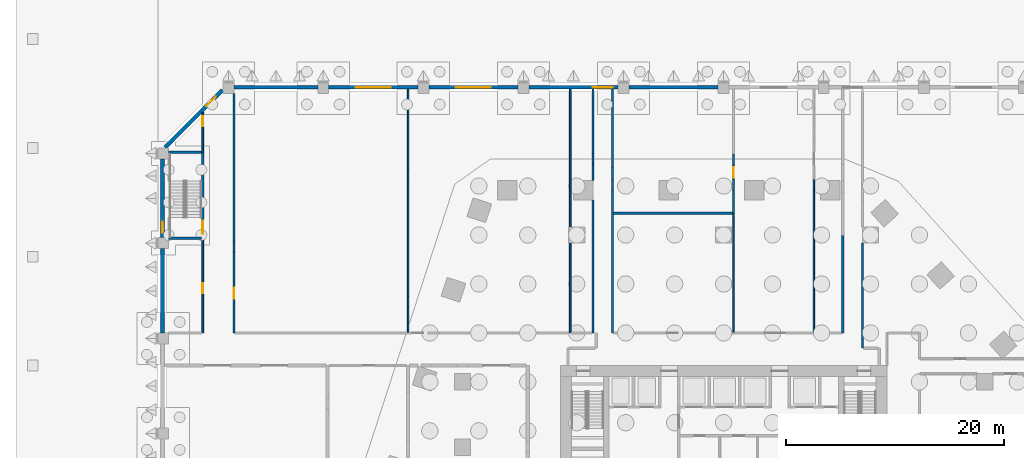
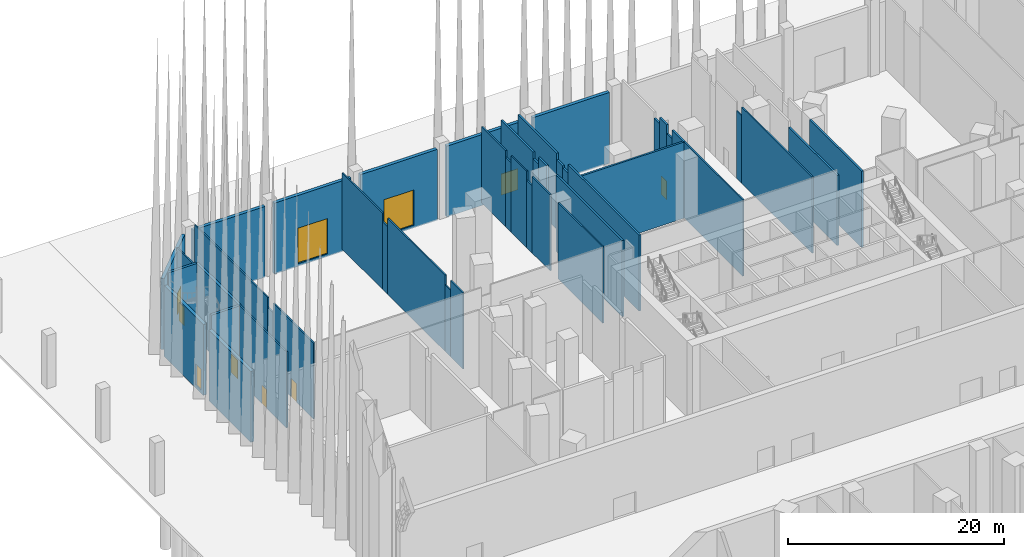
# One storey, part 14 of 32: 45 walls, 10 doors, 10 openings.
"""IFC4 building model written with IfcOpenShell, lengths in metres."""

from ifc_helpers import new_model, si_unit, direction, frame, frame_2d, origin, place, context, subcontext, project, spatial, rectangle, extrude, material, layer, layer_set, type_object, element, fill, save


model = new_model("IFC4")

# Units and contexts
model_context = context("Model", 3, precision=1e-05, world=origin(), true_north=direction((0.0, 1.0)))
body_context = subcontext(model_context, "Body", "Model", "MODEL_VIEW")
ifc_project = project(units=[si_unit("LENGTHUNIT", "METRE"), si_unit("AREAUNIT", "SQUARE_METRE"), si_unit("VOLUMEUNIT", "CUBIC_METRE"), si_unit("PLANEANGLEUNIT", "RADIAN"), si_unit("MASSUNIT", "GRAM", prefix="KILO")], contexts=[model_context])

# Site, building, storey
site_placement = place(None, origin())
site = spatial("IfcSite", under=ifc_project, at=site_placement, CompositionType="ELEMENT")
building_placement = place(site_placement, origin())
building = spatial("IfcBuilding", under=site, at=building_placement, Name="Isthmus Gate Tower", CompositionType="ELEMENT")
storey_placement = place(building_placement, origin())
storey = spatial("IfcBuildingStorey", under=building, at=storey_placement, Name="L00", CompositionType="ELEMENT", Elevation=0.0)

# Walls
ifc_material_1 = material(Name="Concrete f'c 30 MPa", Category="concrete")
ifc_layer_1 = layer(ifc_material_1, 0.199951171875)
ifc_layer_set_1 = layer_set([ifc_layer_1], Name="Fire-rated block wall 200")
wall_type_1 = type_object("IfcWallType", Name="Fire-rated block wall 200", PredefinedType="PARTITIONING", material=ifc_layer_set_1)
wall_1_placement = place(storey_placement, frame((-10.10693359375, 29.0, 0.0), z_axis=(0.0, 0.0, 1.0), x_axis=(1.0, 0.0, 0.0)))
element("IfcWall", 1, at=wall_1_placement, inside=storey, type_object=wall_type_1, Name="Fire-rated wall", PredefinedType="PARTITIONING", context=body_context, shape_type="SweptSolid", body=[
    extrude(rectangle(XDim=10.906982421875, YDim=0.199951171875, at=frame_2d((5.45361328125, 0.0))), origin(), (0.0, 0.0, 1.0), 8.60009765625),
])
wall_2_placement = place(storey_placement, frame((-12.007080078125, 18.0009765625, 0.0), z_axis=(0.0, 0.0, 1.0), x_axis=(0.0, 1.0, 0.0)))
element("IfcWall", 2, at=wall_2_placement, inside=storey, type_object=wall_type_1, Name="Fire-rated wall", PredefinedType="PARTITIONING", context=body_context, shape_type="SweptSolid", body=[
    extrude(rectangle(XDim=12.198974609375, YDim=0.199951171875, at=frame_2d((6.099609375, 0.0))), origin(), (0.0, 0.0, 1.0), 8.60009765625),
])
wall_3_placement = place(storey_placement, frame((-12.007080078125, 32.0, 0.0), z_axis=(0.0, 0.0, 1.0), x_axis=(0.0, 1.0, 0.0)))
element("IfcWall", 3, at=wall_3_placement, inside=storey, type_object=wall_type_1, Name="Fire-rated wall", PredefinedType="PARTITIONING", context=body_context, shape_type="SweptSolid", body=[
    extrude(rectangle(XDim=1.489990234375, YDim=0.199951171875, at=frame_2d((0.7451171875, 0.0))), origin(), (0.0, 0.0, 1.0), 8.60009765625),
])
wall_4_placement = place(storey_placement, frame((-12.007080078125, 33.489990234375, 0.0), z_axis=(0.0, 0.0, 1.0), x_axis=(0.0, 1.0, 0.0)))
element("IfcWall", 4, at=wall_4_placement, inside=storey, type_object=wall_type_1, Name="Fire-rated wall", PredefinedType="PARTITIONING", context=body_context, shape_type="SweptSolid", body=[
    extrude(rectangle(XDim=1.0, YDim=0.199951171875, at=frame_2d((0.5, 0.0))), origin(), (0.0, 0.0, 1.0), 7.84130859375),
])
wall_5_placement = place(storey_placement, frame((-12.007080078125, 34.489990234375, 0.0), z_axis=(0.0, 0.0, 1.0), x_axis=(0.0, 1.0, 0.0)))
element("IfcWall", 5, at=wall_5_placement, inside=storey, type_object=wall_type_1, Name="Fire-rated wall", PredefinedType="PARTITIONING", context=body_context, shape_type="SweptSolid", body=[
    extrude(rectangle(XDim=5.909912109375, YDim=0.199951171875, at=frame_2d((2.955078125, 0.0))), origin(), (0.0, 0.0, 1.0), 8.60009765625),
])
wall_6_placement = place(storey_placement, frame((-10.20703125, 18.0, 0.0), z_axis=(0.0, 0.0, 1.0), x_axis=(0.0, 1.0, 0.0)))
element("IfcWall", 6, at=wall_6_placement, inside=storey, type_object=wall_type_1, Name="Fire-rated wall", PredefinedType="PARTITIONING", context=body_context, shape_type="SweptSolid", body=[
    extrude(rectangle(XDim=13.10009765625, YDim=0.199951171875, at=frame_2d((6.550048828125, 0.0))), origin(), (0.0, 0.0, 1.0), 8.60009765625),
])
wall_7_placement = place(storey_placement, frame((-10.20703125, 31.10009765625, 0.0), z_axis=(0.0, 0.0, 1.0), x_axis=(0.0, 1.0, 0.0)))
element("IfcWall", 7, at=wall_7_placement, inside=storey, type_object=wall_type_1, Name="Fire-rated wall", PredefinedType="PARTITIONING", context=body_context, shape_type="SweptSolid", body=[
    extrude(rectangle(XDim=1.0, YDim=0.199951171875, at=frame_2d((0.5, 0.0))), origin(), (0.0, 0.0, 1.0), 7.60009765625),
])
wall_8_placement = place(storey_placement, frame((-10.20703125, 32.10009765625, 0.0), z_axis=(0.0, 0.0, 1.0), x_axis=(0.0, 1.0, 0.0)))
element("IfcWall", 8, at=wall_8_placement, inside=storey, type_object=wall_type_1, Name="Fire-rated wall", PredefinedType="PARTITIONING", context=body_context, shape_type="SweptSolid", body=[
    extrude(rectangle(XDim=1.123779296875, YDim=0.199951171875, at=frame_2d((0.56201171875, 0.0))), origin(), (0.0, 0.0, 1.0), 7.84130859375),
])
wall_9_placement = place(storey_placement, frame((-10.20703125, 33.223876953125, 0.0), z_axis=(0.0, 0.0, 1.0), x_axis=(0.0, 1.0, 0.0)))
element("IfcWall", 9, at=wall_9_placement, inside=storey, type_object=wall_type_1, Name="Fire-rated wall", PredefinedType="PARTITIONING", context=body_context, shape_type="SweptSolid", body=[
    extrude(rectangle(XDim=7.176025390625, YDim=0.199951171875, at=frame_2d((3.587890625, 0.0))), origin(), (0.0, 0.0, 1.0), 8.60009765625),
])
wall_10_placement = place(storey_placement, frame((0.89990234375, 29.0, 0.0), z_axis=(0.0, 0.0, 1.0), x_axis=(0.0, 1.0, 0.0)))
element("IfcWall", 10, at=wall_10_placement, inside=storey, type_object=wall_type_1, Name="Fire-rated wall", PredefinedType="PARTITIONING", context=body_context, shape_type="SweptSolid", body=[
    extrude(rectangle(XDim=2.10009765625, YDim=0.199951171875, at=frame_2d((1.050048828125, 0.0))), origin(), (0.0, 0.0, 1.0), 8.60009765625),
])
wall_11_placement = place(storey_placement, frame((0.89990234375, 31.10009765625, 0.0), z_axis=(0.0, 0.0, 1.0), x_axis=(0.0, 1.0, 0.0)))
element("IfcWall", 11, at=wall_11_placement, inside=storey, type_object=wall_type_1, Name="Fire-rated wall", PredefinedType="PARTITIONING", context=body_context, shape_type="SweptSolid", body=[
    extrude(rectangle(XDim=1.0, YDim=0.199951171875, at=frame_2d((0.5, 0.0))), origin(), (0.0, 0.0, 1.0), 7.60009765625),
])

# Wall, opening, door
wall_12_placement = place(storey_placement, frame((0.89990234375, 32.10009765625, 0.0), z_axis=(0.0, 0.0, 1.0), x_axis=(0.0, 1.0, 0.0)))
wall_12 = element("IfcWall", 12, at=wall_12_placement, inside=storey, type_object=wall_type_1, Name="Fire-rated wall", PredefinedType="PARTITIONING", context=body_context, shape_type="SweptSolid", body=[
    extrude(rectangle(XDim=1.35302734375, YDim=0.199951171875, at=frame_2d((0.676513671875, 0.0))), origin(), (0.0, 0.0, 1.0), 8.60009765625),
])
opening_1_placement = place(wall_12_placement, frame((0.14990234375, 0.0, 0.0)))
opening_1 = element("IfcOpeningElement", 13, at=opening_1_placement, cuts=wall_12, Name="Opening DP00-32", PredefinedType="OPENING", context=body_context, shape_type="SweptSolid", body=[
    extrude(rectangle(XDim=1.0, YDim=2.10009765625, at=frame_2d((0.5, 1.050048828125))), frame((0.0, 0.10986328125, 0.0), z_axis=(0.0, -1.0, 0.0), x_axis=(1.0, 0.0, 0.0)), (0.0, 0.0, 1.0), 0.219970703125),
])
ifc_material_2 = material(Name="Steel fire door with intumescent seals", Category="steel")
door_type_1 = type_object("IfcDoorType", Name="Fire door 1000 x 2100", OperationType="SINGLE_SWING_LEFT", PredefinedType="DOOR", material=ifc_material_2)
door_1_placement = place(opening_1_placement, origin())
door_1 = element("IfcDoor", 14, at=door_1_placement, inside=storey, type_object=door_type_1, Name="Door DP00-32", OperationType="SINGLE_SWING_LEFT", OverallHeight=2.10009765625, OverallWidth=1.0, PredefinedType="DOOR", context=body_context, shape_type="SweptSolid", body=[
    extrude(rectangle(XDim=1.0, YDim=2.10009765625, at=frame_2d((0.5, 1.050048828125))), frame((0.0, 0.02490234375, 0.0), z_axis=(0.0, -1.0, 0.0), x_axis=(1.0, 0.0, 0.0)), (0.0, 0.0, 1.0), 0.050048828125),
])
fill(opening_1, door_1)

# Walls
wall_13_placement = place(storey_placement, frame((0.89990234375, 33.453125, 0.0), z_axis=(0.0, 0.0, 1.0), x_axis=(0.0, 1.0, 0.0)))
element("IfcWall", 15, at=wall_13_placement, inside=storey, type_object=wall_type_1, Name="Fire-rated wall", PredefinedType="PARTITIONING", context=body_context, shape_type="SweptSolid", body=[
    extrude(rectangle(XDim=1.0, YDim=0.199951171875, at=frame_2d((0.5, 0.0))), origin(), (0.0, 0.0, 1.0), 7.920654296875),
])
wall_14_placement = place(storey_placement, frame((10.949951171875, 18.0, 0.0), z_axis=(0.0, 0.0, 1.0), x_axis=(0.0, 1.0, 0.0)))
element("IfcWall", 16, at=wall_14_placement, inside=storey, type_object=wall_type_1, Name="Fire-rated wall", PredefinedType="PARTITIONING", context=body_context, shape_type="SweptSolid", body=[
    extrude(rectangle(XDim=8.972900390625, YDim=0.199951171875, at=frame_2d((4.486328125, 0.0))), origin(), (0.0, 0.0, 1.0), 7.920654296875),
])
wall_15_placement = place(storey_placement, frame((12.75, 16.60009765625, 0.0), z_axis=(0.0, 0.0, 1.0), x_axis=(0.0, 1.0, 0.0)))
element("IfcWall", 17, at=wall_15_placement, inside=storey, type_object=wall_type_1, Name="Fire-rated wall", PredefinedType="PARTITIONING", context=body_context, shape_type="SweptSolid", body=[
    extrude(rectangle(XDim=9.64990234375, YDim=0.199951171875, at=frame_2d((4.824951171875, 0.0))), origin(), (0.0, 0.0, 1.0), 8.60009765625),
])

# Wall, opening, door
ifc_material_3 = material(Name="Fire-rated gypsum board on steel studs", Category="steel")
ifc_layer_2 = layer(ifc_material_3, 0.14990234375)
ifc_layer_set_2 = layer_set([ifc_layer_2], Name="Fire-rated partition 150 EI 60")
wall_type_2 = type_object("IfcWallType", Name="Fire-rated partition 150 EI 60", PredefinedType="PARTITIONING", material=ifc_layer_set_2)
wall_16_placement = place(storey_placement, frame((-47.875, 18.0, 0.0), z_axis=(0.0, 0.0, 1.0), x_axis=(0.0, 1.0, 0.0)))
wall_16 = element("IfcWall", 18, at=wall_16_placement, inside=storey, type_object=wall_type_2, Name="Fire-rated partition", PredefinedType="PARTITIONING", context=body_context, shape_type="SweptSolid", body=[
    extrude(rectangle(XDim=8.699951171875, YDim=0.14990234375, at=frame_2d((4.35009765625, 0.0))), origin(), (0.0, 0.0, 1.0), 8.60009765625),
])
opening_2_placement = place(wall_16_placement, frame((3.64990234375, 0.0, 0.0)))
opening_2 = element("IfcOpeningElement", 19, at=opening_2_placement, cuts=wall_16, Name="Opening DP00-02", PredefinedType="OPENING", context=body_context, shape_type="SweptSolid", body=[
    extrude(rectangle(XDim=0.89990234375, YDim=2.10009765625, at=frame_2d((0.449951171875, 1.050048828125))), frame((0.0, 0.0849609375, 0.0), z_axis=(0.0, -1.0, 0.0), x_axis=(1.0, 0.0, 0.0)), (0.0, 0.0, 1.0), 0.169921875),
])
ifc_material_4 = material(Name="Steel fire door with intumescent seals", Category="steel")
door_type_2 = type_object("IfcDoorType", Name="Fire door 900 x 2100", OperationType="SINGLE_SWING_LEFT", PredefinedType="DOOR", material=ifc_material_4)
door_2_placement = place(opening_2_placement, origin())
door_2 = element("IfcDoor", 20, at=door_2_placement, inside=storey, type_object=door_type_2, Name="Door DP00-02", OperationType="SINGLE_SWING_LEFT", OverallHeight=2.10009765625, OverallWidth=0.89990234375, PredefinedType="DOOR", context=body_context, shape_type="SweptSolid", body=[
    extrude(rectangle(XDim=0.89990234375, YDim=2.10009765625, at=frame_2d((0.449951171875, 1.050048828125))), frame((0.0, 0.02490234375, 0.0), z_axis=(0.0, -1.0, 0.0), x_axis=(1.0, 0.0, 0.0)), (0.0, 0.0, 1.0), 0.050048828125),
])
fill(opening_2, door_2)

wall_17_placement = place(storey_placement, frame((-47.875, 34.60009765625, 0.0), z_axis=(0.0, 0.0, 1.0), x_axis=(0.0, 1.0, 0.0)))
wall_17 = element("IfcWall", 21, at=wall_17_placement, inside=storey, type_object=wall_type_2, Name="Fire-rated partition", PredefinedType="PARTITIONING", context=body_context, shape_type="SweptSolid", body=[
    extrude(rectangle(XDim=3.676513671875, YDim=0.14990234375, at=frame_2d((1.83837890625, 0.0))), origin(), (0.0, 0.0, 1.0), 8.066650390625),
])
opening_3_placement = place(wall_17_placement, frame((2.39990234375, 0.0, 0.0)))
opening_3 = element("IfcOpeningElement", 22, at=opening_3_placement, cuts=wall_17, Name="Opening DP00-03", PredefinedType="OPENING", context=body_context, shape_type="SweptSolid", body=[
    extrude(rectangle(XDim=0.89990234375, YDim=2.10009765625, at=frame_2d((0.449951171875, 1.050048828125))), frame((0.0, 0.0849609375, 0.0), z_axis=(0.0, -1.0, 0.0), x_axis=(1.0, 0.0, 0.0)), (0.0, 0.0, 1.0), 0.169921875),
])
door_3_placement = place(opening_3_placement, origin())
door_3 = element("IfcDoor", 23, at=door_3_placement, inside=storey, type_object=door_type_2, Name="Door DP00-03", OperationType="SINGLE_SWING_LEFT", OverallHeight=2.10009765625, OverallWidth=0.89990234375, PredefinedType="DOOR", context=body_context, shape_type="SweptSolid", body=[
    extrude(rectangle(XDim=0.89990234375, YDim=2.10009765625, at=frame_2d((0.449951171875, 1.050048828125))), frame((0.0, 0.02490234375, 0.0), z_axis=(0.0, -1.0, 0.0), x_axis=(1.0, 0.0, 0.0)), (0.0, 0.0, 1.0), 0.050048828125),
])
fill(opening_3, door_3)

wall_18_placement = place(storey_placement, frame((-45.0, 18.0, 0.0), z_axis=(0.0, 0.0, 1.0), x_axis=(0.0, 1.0, 0.0)))
wall_18 = element("IfcWall", 24, at=wall_18_placement, inside=storey, type_object=wall_type_2, Name="Fire-rated partition", PredefinedType="PARTITIONING", context=body_context, shape_type="SweptSolid", body=[
    extrude(rectangle(XDim=7.430908203125, YDim=0.14990234375, at=frame_2d((3.71533203125, 0.0))), origin(), (0.0, 0.0, 1.0), 8.60009765625),
])
opening_4_placement = place(wall_18_placement, frame((3.14990234375, 0.0, 0.0)))
opening_4 = element("IfcOpeningElement", 25, at=opening_4_placement, cuts=wall_18, Name="Opening DP00-29", PredefinedType="OPENING", context=body_context, shape_type="SweptSolid", body=[
    extrude(rectangle(XDim=1.0, YDim=2.10009765625, at=frame_2d((0.5, 1.050048828125))), frame((0.0, 0.0849609375, 0.0), z_axis=(0.0, -1.0, 0.0), x_axis=(1.0, 0.0, 0.0)), (0.0, 0.0, 1.0), 0.169921875),
])
door_4_placement = place(opening_4_placement, origin())
door_4 = element("IfcDoor", 26, at=door_4_placement, inside=storey, type_object=door_type_1, Name="Door DP00-29", OperationType="SINGLE_SWING_LEFT", OverallHeight=2.10009765625, OverallWidth=1.0, PredefinedType="DOOR", context=body_context, shape_type="SweptSolid", body=[
    extrude(rectangle(XDim=1.0, YDim=2.10009765625, at=frame_2d((0.5, 1.050048828125))), frame((0.0, 0.02490234375, 0.0), z_axis=(0.0, -1.0, 0.0), x_axis=(1.0, 0.0, 0.0)), (0.0, 0.0, 1.0), 0.050048828125),
])
fill(opening_4, door_4)

# Walls
wall_19_placement = place(storey_placement, frame((-45.0, 25.430908203125, 0.0), z_axis=(0.0, 0.0, 1.0), x_axis=(0.0, 1.0, 0.0)))
element("IfcWall", 27, at=wall_19_placement, inside=storey, type_object=wall_type_2, Name="Fire-rated partition", PredefinedType="PARTITIONING", context=body_context, shape_type="SweptSolid", body=[
    extrude(rectangle(XDim=1.0, YDim=0.14990234375, at=frame_2d((0.5, 0.0))), origin(), (0.0, 0.0, 1.0), 7.510986328125),
])
wall_20_placement = place(storey_placement, frame((-45.0, 26.430908203125, 0.0), z_axis=(0.0, 0.0, 1.0), x_axis=(0.0, 1.0, 0.0)))
element("IfcWall", 28, at=wall_20_placement, inside=storey, type_object=wall_type_2, Name="Fire-rated partition", PredefinedType="PARTITIONING", context=body_context, shape_type="SweptSolid", body=[
    extrude(rectangle(XDim=13.569091796875, YDim=0.14990234375, at=frame_2d((6.78466796875, 0.0))), origin(), (0.0, 0.0, 1.0), 8.60009765625),
])
ifc_material_5 = material(Name="Precast concrete C40/50, limestone-faced", Category="masonry")
ifc_layer_3 = layer(ifc_material_5, 0.35009765625)
ifc_layer_set_3 = layer_set([ifc_layer_3], Name="PODIUM CLADDING WALL 350")
wall_type_3 = type_object("IfcWallType", Name="PODIUM CLADDING WALL 350", PredefinedType="SOLIDWALL", material=ifc_layer_set_3)
wall_21_placement = place(storey_placement, frame((-0.5, 40.574951171875, -0.300048828125), z_axis=(0.0, 0.0, 1.0), x_axis=(-1.0, 0.0, 0.0)))
element("IfcWall", 29, at=wall_21_placement, inside=storey, type_object=wall_type_3, Name="PODIUM WALL", PredefinedType="SOLIDWALL", context=body_context, shape_type="SweptSolid", body=[
    extrude(rectangle(XDim=8.199951171875, YDim=0.35009765625, at=frame_2d((4.10009765625, 0.0))), origin(), (0.0, 0.0, 1.0), 8.0),
])

# Wall, opening, door
wall_22_placement = place(storey_placement, frame((-9.699951171875, 40.574951171875, -0.300048828125), z_axis=(0.0, 0.0, 1.0), x_axis=(-1.0, 0.0, 0.0)))
wall_22 = element("IfcWall", 30, at=wall_22_placement, inside=storey, type_object=wall_type_3, Name="PODIUM WALL", PredefinedType="SOLIDWALL", context=body_context, shape_type="SweptSolid", body=[
    extrude(rectangle(XDim=8.199951171875, YDim=0.35009765625, at=frame_2d((4.10009765625, 0.0))), origin(), (0.0, 0.0, 1.0), 8.0),
])
opening_5_placement = place(wall_22_placement, frame((0.507080078125, 0.0, 0.300048828125)))
opening_5 = element("IfcOpeningElement", 31, at=opening_5_placement, cuts=wall_22, Name="Opening DE00-08", PredefinedType="OPENING", context=body_context, shape_type="SweptSolid", body=[
    extrude(rectangle(XDim=1.800048828125, YDim=2.39990234375, at=frame_2d((0.89990234375, 1.199951171875))), frame((0.0, 0.18505859375, 0.0), z_axis=(0.0, -1.0, 0.0), x_axis=(1.0, 0.0, 0.0)), (0.0, 0.0, 1.0), 0.3701171875),
])
ifc_material_6 = material(Name="Galvanised steel, powder-coated", Category="steel")
door_type_3 = type_object("IfcDoorType", Name="STAIR EXIT FIRE DOOR 1800 X 2400", OperationType="SINGLE_SWING_LEFT", PredefinedType="DOOR", material=ifc_material_6)
door_5_placement = place(opening_5_placement, frame((1.800048828125, 0.0, 0.0), z_axis=(0.0, 0.0, 1.0), x_axis=(-1.0, 0.0, 0.0)))
door_5 = element("IfcDoor", 32, at=door_5_placement, inside=storey, type_object=door_type_3, Name="DOOR DE00-08", OperationType="SINGLE_SWING_LEFT", OverallHeight=2.39990234375, OverallWidth=1.800048828125, PredefinedType="DOOR", context=body_context, shape_type="SweptSolid", body=[
    extrude(rectangle(XDim=1.800048828125, YDim=2.39990234375, at=frame_2d((0.89990234375, 1.199951171875))), frame((0.0, 0.02490234375, 0.0), z_axis=(0.0, -1.0, 0.0), x_axis=(1.0, 0.0, 0.0)), (0.0, 0.0, 1.0), 0.050048828125),
])
fill(opening_5, door_5)

wall_23_placement = place(storey_placement, frame((-18.89990234375, 40.574951171875, -0.300048828125), z_axis=(0.0, 0.0, 1.0), x_axis=(-1.0, 0.0, 0.0)))
wall_23 = element("IfcWall", 33, at=wall_23_placement, inside=storey, type_object=wall_type_3, Name="PODIUM WALL", PredefinedType="SOLIDWALL", context=body_context, shape_type="SweptSolid", body=[
    extrude(rectangle(XDim=8.2001953125, YDim=0.35009765625, at=frame_2d((4.10009765625, 0.0))), origin(), (0.0, 0.0, 1.0), 8.0),
])
opening_6_placement = place(wall_23_placement, frame((2.5, 0.0, 0.300048828125)))
opening_6 = element("IfcOpeningElement", 34, at=opening_6_placement, cuts=wall_23, Name="Opening DE00-05", PredefinedType="OPENING", context=body_context, shape_type="SweptSolid", body=[
    extrude(rectangle(XDim=3.199951171875, YDim=4.0, at=frame_2d((1.60009765625, 2.0))), frame((0.0, 0.18505859375, 0.0), z_axis=(0.0, -1.0, 0.0), x_axis=(1.0, 0.0, 0.0)), (0.0, 0.0, 1.0), 0.3701171875),
])
ifc_material_7 = material(Name="Galvanised steel, powder-coated", Category="steel")
door_type_4 = type_object("IfcDoorType", Name="ROLLER SHUTTER DOOR 3200 X 4000", OperationType="ROLLINGUP", PredefinedType="GATE", material=ifc_material_7)
door_6_placement = place(opening_6_placement, origin())
door_6 = element("IfcDoor", 35, at=door_6_placement, inside=storey, type_object=door_type_4, Name="DOOR DE00-05", OperationType="ROLLINGUP", OverallHeight=4.0, OverallWidth=3.199951171875, PredefinedType="GATE", context=body_context, shape_type="SweptSolid", body=[
    extrude(rectangle(XDim=3.199951171875, YDim=4.0, at=frame_2d((1.60009765625, 2.0))), frame((0.0, 0.02490234375, 0.0), z_axis=(0.0, -1.0, 0.0), x_axis=(1.0, 0.0, 0.0)), (0.0, 0.0, 1.0), 0.050048828125),
])
fill(opening_6, door_6)

wall_24_placement = place(storey_placement, frame((-28.10009765625, 40.574951171875, -0.300048828125), z_axis=(0.0, 0.0, 1.0), x_axis=(-1.0, 0.0, 0.0)))
wall_24 = element("IfcWall", 36, at=wall_24_placement, inside=storey, type_object=wall_type_3, Name="PODIUM WALL", PredefinedType="SOLIDWALL", context=body_context, shape_type="SweptSolid", body=[
    extrude(rectangle(XDim=8.199951171875, YDim=0.35009765625, at=frame_2d((4.10009765625, 0.0))), origin(), (0.0, 0.0, 1.0), 8.0),
])
opening_7_placement = place(wall_24_placement, frame((2.5, 0.0, 0.300048828125)))
opening_7 = element("IfcOpeningElement", 37, at=opening_7_placement, cuts=wall_24, Name="Opening DE00-07", PredefinedType="OPENING", context=body_context, shape_type="SweptSolid", body=[
    extrude(rectangle(XDim=3.199951171875, YDim=4.0, at=frame_2d((1.60009765625, 2.0))), frame((0.0, 0.18505859375, 0.0), z_axis=(0.0, -1.0, 0.0), x_axis=(1.0, 0.0, 0.0)), (0.0, 0.0, 1.0), 0.3701171875),
])
door_7_placement = place(opening_7_placement, origin())
door_7 = element("IfcDoor", 38, at=door_7_placement, inside=storey, type_object=door_type_4, Name="DOOR DE00-07", OperationType="ROLLINGUP", OverallHeight=4.0, OverallWidth=3.199951171875, PredefinedType="GATE", context=body_context, shape_type="SweptSolid", body=[
    extrude(rectangle(XDim=3.199951171875, YDim=4.0, at=frame_2d((1.60009765625, 2.0))), frame((0.0, 0.02490234375, 0.0), z_axis=(0.0, -1.0, 0.0), x_axis=(1.0, 0.0, 0.0)), (0.0, 0.0, 1.0), 0.050048828125),
])
fill(opening_7, door_7)

# Wall
wall_25_placement = place(storey_placement, frame((-37.300048828125, 40.574951171875, -0.300048828125), z_axis=(0.0, 0.0, 1.0), x_axis=(-1.0, 0.0, 0.0)))
element("IfcWall", 39, at=wall_25_placement, inside=storey, type_object=wall_type_3, Name="PODIUM WALL", PredefinedType="SOLIDWALL", context=body_context, shape_type="SweptSolid", body=[
    extrude(rectangle(XDim=7.699951171875, YDim=0.35009765625, at=frame_2d((3.85009765625, 0.0))), origin(), (0.0, 0.0, 1.0), 8.0),
])

# Wall, opening, door
wall_26_placement = place(storey_placement, frame((-46.071533203125, 40.327392578125, -0.300048828125), z_axis=(0.0, 0.0, 1.0), x_axis=(-0.707106781187, -0.707106781187, 0.0)))
wall_26 = element("IfcWall", 40, at=wall_26_placement, inside=storey, type_object=wall_type_3, Name="PODIUM WALL", PredefinedType="SOLIDWALL", context=body_context, shape_type="SweptSolid", body=[
    extrude(rectangle(XDim=7.432861328125, YDim=0.35009765625, at=frame_2d((3.71630859375, 0.0))), origin(), (0.0, 0.0, 1.0), 8.0),
])
opening_8_placement = place(wall_26_placement, frame((0.853759765625, 0.0, 0.300048828125)))
opening_8 = element("IfcOpeningElement", 41, at=opening_8_placement, cuts=wall_26, Name="Opening DE00-15", PredefinedType="OPENING", context=body_context, shape_type="SweptSolid", body=[
    extrude(rectangle(XDim=1.199951171875, YDim=2.39990234375, at=frame_2d((0.60009765625, 1.199951171875))), frame((0.0, 0.18505859375, 0.0), z_axis=(0.0, -1.0, 0.0), x_axis=(1.0, 0.0, 0.0)), (0.0, 0.0, 1.0), 0.3701171875),
])
ifc_material_8 = material(Name="Galvanised steel, powder-coated", Category="steel")
door_type_5 = type_object("IfcDoorType", Name="STAIR EXIT FIRE DOOR 1200 X 2400", OperationType="SINGLE_SWING_LEFT", PredefinedType="DOOR", material=ifc_material_8)
door_8_placement = place(opening_8_placement, frame((1.199951171875, 0.0, 0.0), z_axis=(0.0, 0.0, 1.0), x_axis=(-1.0, 0.0, 0.0)))
door_8 = element("IfcDoor", 42, at=door_8_placement, inside=storey, type_object=door_type_5, Name="DOOR DE00-15", OperationType="SINGLE_SWING_LEFT", OverallHeight=2.39990234375, OverallWidth=1.199951171875, PredefinedType="DOOR", context=body_context, shape_type="SweptSolid", body=[
    extrude(rectangle(XDim=1.199951171875, YDim=2.39990234375, at=frame_2d((0.60009765625, 1.199951171875))), frame((0.0, 0.02490234375, 0.0), z_axis=(0.0, -1.0, 0.0), x_axis=(1.0, 0.0, 0.0)), (0.0, 0.0, 1.0), 0.050048828125),
])
fill(opening_8, door_8)

wall_27_placement = place(storey_placement, frame((-51.574951171875, 34.0, -0.300048828125), z_axis=(0.0, 0.0, 1.0), x_axis=(0.0, -1.0, 0.0)))
wall_27 = element("IfcWall", 43, at=wall_27_placement, inside=storey, type_object=wall_type_3, Name="PODIUM WALL", PredefinedType="SOLIDWALL", context=body_context, shape_type="SweptSolid", body=[
    extrude(rectangle(XDim=7.25, YDim=0.35009765625, at=frame_2d((3.625, 0.0))), origin(), (0.0, 0.0, 1.0), 8.0),
])
opening_9_placement = place(wall_27_placement, frame((5.800048828125, 0.0, 0.300048828125)))
opening_9 = element("IfcOpeningElement", 44, at=opening_9_placement, cuts=wall_27, Name="Opening DE00-14", PredefinedType="OPENING", context=body_context, shape_type="SweptSolid", body=[
    extrude(rectangle(XDim=1.0, YDim=2.39990234375, at=frame_2d((0.5, 1.199951171875))), frame((0.0, 0.18505859375, 0.0), z_axis=(0.0, -1.0, 0.0), x_axis=(1.0, 0.0, 0.0)), (0.0, 0.0, 1.0), 0.3701171875),
])
ifc_material_9 = material(Name="Galvanised steel, powder-coated", Category="steel")
door_type_6 = type_object("IfcDoorType", Name="STAIR EXIT FIRE DOOR 1000 X 2400", OperationType="SINGLE_SWING_LEFT", PredefinedType="DOOR", material=ifc_material_9)
door_9_placement = place(opening_9_placement, frame((1.0, 0.0, 0.0), z_axis=(0.0, 0.0, 1.0), x_axis=(-1.0, 0.0, 0.0)))
door_9 = element("IfcDoor", 45, at=door_9_placement, inside=storey, type_object=door_type_6, Name="DOOR DE00-14", OperationType="SINGLE_SWING_LEFT", OverallHeight=2.39990234375, OverallWidth=1.0, PredefinedType="DOOR", context=body_context, shape_type="SweptSolid", body=[
    extrude(rectangle(XDim=1.0, YDim=2.39990234375, at=frame_2d((0.5, 1.199951171875))), frame((0.0, 0.02490234375, 0.0), z_axis=(0.0, -1.0, 0.0), x_axis=(1.0, 0.0, 0.0)), (0.0, 0.0, 1.0), 0.050048828125),
])
fill(opening_9, door_9)

# Walls
wall_28_placement = place(storey_placement, frame((-51.574951171875, 25.75, -0.300048828125), z_axis=(0.0, 0.0, 1.0), x_axis=(0.0, -1.0, 0.0)))
element("IfcWall", 46, at=wall_28_placement, inside=storey, type_object=wall_type_3, Name="PODIUM WALL", PredefinedType="SOLIDWALL", context=body_context, shape_type="SweptSolid", body=[
    extrude(rectangle(XDim=7.75, YDim=0.35009765625, at=frame_2d((3.875, 0.0))), origin(), (0.0, 0.0, 1.0), 8.0),
])
ifc_material_10 = material(Name="Gypsum board on cold-formed steel studs", Category="steel")
ifc_layer_4 = layer(ifc_material_10, 0.14990234375)
ifc_layer_set_4 = layer_set([ifc_layer_4])
wall_type_4 = type_object("IfcWallType", Name="Partition 150 gypsum board on steel studs", PredefinedType="PARTITIONING", material=ifc_layer_set_4)
wall_29_placement = place(storey_placement, frame((-29.0, 18.074951171875, 0.0), z_axis=(0.0, 0.0, 1.0), x_axis=(0.0, 1.0, 0.0)))
element("IfcWall", 47, at=wall_29_placement, inside=storey, type_object=wall_type_4, Name="Partition", PredefinedType="PARTITIONING", context=body_context, shape_type="SweptSolid", body=[
    extrude(rectangle(XDim=2.292236328125, YDim=0.14990234375, at=frame_2d((1.14599609375, 0.0))), origin(), (0.0, 0.0, 1.0), 8.60009765625),
])
wall_30_placement = place(storey_placement, frame((-29.0, 20.3671875, 0.0), z_axis=(0.0, 0.0, 1.0), x_axis=(0.0, 1.0, 0.0)))
element("IfcWall", 48, at=wall_30_placement, inside=storey, type_object=wall_type_4, Name="Partition", PredefinedType="PARTITIONING", context=body_context, shape_type="SweptSolid", body=[
    extrude(rectangle(XDim=1.0, YDim=0.14990234375, at=frame_2d((0.5, 0.0))), origin(), (0.0, 0.0, 1.0), 7.510986328125),
])
wall_31_placement = place(storey_placement, frame((-29.0, 21.3671875, 0.0), z_axis=(0.0, 0.0, 1.0), x_axis=(0.0, 1.0, 0.0)))
element("IfcWall", 49, at=wall_31_placement, inside=storey, type_object=wall_type_4, Name="Partition", PredefinedType="PARTITIONING", context=body_context, shape_type="SweptSolid", body=[
    extrude(rectangle(XDim=10.578857421875, YDim=0.14990234375, at=frame_2d((5.28955078125, 0.0))), origin(), (0.0, 0.0, 1.0), 8.60009765625),
])
wall_32_placement = place(storey_placement, frame((-29.0, 31.946044921875, 0.0), z_axis=(0.0, 0.0, 1.0), x_axis=(0.0, 1.0, 0.0)))
element("IfcWall", 50, at=wall_32_placement, inside=storey, type_object=wall_type_4, Name="Partition", PredefinedType="PARTITIONING", context=body_context, shape_type="SweptSolid", body=[
    extrude(rectangle(XDim=1.0, YDim=0.14990234375, at=frame_2d((0.5, 0.0))), origin(), (0.0, 0.0, 1.0), 7.618896484375),
])
wall_33_placement = place(storey_placement, frame((-29.0, 32.946044921875, 0.0), z_axis=(0.0, 0.0, 1.0), x_axis=(0.0, 1.0, 0.0)))
element("IfcWall", 51, at=wall_33_placement, inside=storey, type_object=wall_type_4, Name="Partition", PredefinedType="PARTITIONING", context=body_context, shape_type="SweptSolid", body=[
    extrude(rectangle(XDim=7.453857421875, YDim=0.14990234375, at=frame_2d((3.72705078125, 0.0))), origin(), (0.0, 0.0, 1.0), 8.60009765625),
])
wall_34_placement = place(storey_placement, frame((-14.10009765625, 18.0009765625, 0.0), z_axis=(0.0, 0.0, 1.0), x_axis=(0.0, 1.0, 0.0)))
element("IfcWall", 52, at=wall_34_placement, inside=storey, type_object=wall_type_4, Name="Partition", PredefinedType="PARTITIONING", context=body_context, shape_type="SweptSolid", body=[
    extrude(rectangle(XDim=8.2490234375, YDim=0.14990234375, at=frame_2d((4.12451171875, 0.0))), origin(), (0.0, 0.0, 1.0), 8.60009765625),
])
wall_35_placement = place(storey_placement, frame((-14.10009765625, 27.75, 0.0), z_axis=(0.0, 0.0, 1.0), x_axis=(0.0, 1.0, 0.0)))
element("IfcWall", 53, at=wall_35_placement, inside=storey, type_object=wall_type_4, Name="Partition", PredefinedType="PARTITIONING", context=body_context, shape_type="SweptSolid", body=[
    extrude(rectangle(XDim=3.35009765625, YDim=0.14990234375, at=frame_2d((1.675048828125, 0.0))), origin(), (0.0, 0.0, 1.0), 8.60009765625),
])
wall_36_placement = place(storey_placement, frame((-14.10009765625, 31.10009765625, 0.0), z_axis=(0.0, 0.0, 1.0), x_axis=(0.0, 1.0, 0.0)))
element("IfcWall", 54, at=wall_36_placement, inside=storey, type_object=wall_type_4, Name="Partition", PredefinedType="PARTITIONING", context=body_context, shape_type="SweptSolid", body=[
    extrude(rectangle(XDim=1.0, YDim=0.14990234375, at=frame_2d((0.5, 0.0))), origin(), (0.0, 0.0, 1.0), 7.60009765625),
])
wall_37_placement = place(storey_placement, frame((-14.10009765625, 32.10009765625, 0.0), z_axis=(0.0, 0.0, 1.0), x_axis=(0.0, 1.0, 0.0)))
element("IfcWall", 55, at=wall_37_placement, inside=storey, type_object=wall_type_4, Name="Partition", PredefinedType="PARTITIONING", context=body_context, shape_type="SweptSolid", body=[
    extrude(rectangle(XDim=2.862060546875, YDim=0.14990234375, at=frame_2d((1.43115234375, 0.0))), origin(), (0.0, 0.0, 1.0), 8.60009765625),
])
wall_38_placement = place(storey_placement, frame((-14.10009765625, 34.962158203125, 0.0), z_axis=(0.0, 0.0, 1.0), x_axis=(0.0, 1.0, 0.0)))
element("IfcWall", 56, at=wall_38_placement, inside=storey, type_object=wall_type_4, Name="Partition", PredefinedType="PARTITIONING", context=body_context, shape_type="SweptSolid", body=[
    extrude(rectangle(XDim=1.0, YDim=0.14990234375, at=frame_2d((0.5, 0.0))), origin(), (0.0, 0.0, 1.0), 7.84130859375),
])
wall_39_placement = place(storey_placement, frame((-14.10009765625, 35.962158203125, 0.0), z_axis=(0.0, 0.0, 1.0), x_axis=(0.0, 1.0, 0.0)))
element("IfcWall", 57, at=wall_39_placement, inside=storey, type_object=wall_type_4, Name="Partition", PredefinedType="PARTITIONING", context=body_context, shape_type="SweptSolid", body=[
    extrude(rectangle(XDim=4.437744140625, YDim=0.14990234375, at=frame_2d((2.21875, 0.0))), origin(), (0.0, 0.0, 1.0), 8.60009765625),
])
wall_40_placement = place(storey_placement, frame((0.89990234375, 18.074951171875, 0.0), z_axis=(0.0, 0.0, 1.0), x_axis=(0.0, 1.0, 0.0)))
element("IfcWall", 58, at=wall_40_placement, inside=storey, type_object=wall_type_4, Name="Partition", PredefinedType="PARTITIONING", context=body_context, shape_type="SweptSolid", body=[
    extrude(rectangle(XDim=10.925048828125, YDim=0.14990234375, at=frame_2d((5.46240234375, 0.0))), origin(), (0.0, 0.0, 1.0), 8.60009765625),
])
wall_41_placement = place(storey_placement, frame((8.300048828125, 18.074951171875, 0.0), z_axis=(0.0, 0.0, 1.0), x_axis=(0.0, 1.0, 0.0)))
element("IfcWall", 59, at=wall_41_placement, inside=storey, type_object=wall_type_4, Name="Partition", PredefinedType="PARTITIONING", context=body_context, shape_type="SweptSolid", body=[
    extrude(rectangle(XDim=13.025146484375, YDim=0.14990234375, at=frame_2d((6.5126953125, 0.0))), origin(), (0.0, 0.0, 1.0), 8.60009765625),
])
wall_42_placement = place(storey_placement, frame((8.300048828125, 31.10009765625, 0.0), z_axis=(0.0, 0.0, 1.0), x_axis=(0.0, 1.0, 0.0)))
element("IfcWall", 60, at=wall_42_placement, inside=storey, type_object=wall_type_4, Name="Partition", PredefinedType="PARTITIONING", context=body_context, shape_type="SweptSolid", body=[
    extrude(rectangle(XDim=1.0, YDim=0.14990234375, at=frame_2d((0.5, 0.0))), origin(), (0.0, 0.0, 1.0), 7.60009765625),
])
ifc_material_11 = material(Name="Concrete f'c 40 MPa", Category="concrete")
ifc_layer_5 = layer(ifc_material_11, 0.25)
ifc_layer_set_5 = layer_set([ifc_layer_5])
wall_type_5 = type_object("IfcWallType", Name="Stair shaft wall 250 reinforced concrete", PredefinedType="SHEAR", material=ifc_layer_set_5)
for number, where, z_axis, x_axis, name in (
    (61, (-51.0, 26.699951171875, 0.0), (0.0, 0.0, 1.0), (1.0, 0.0, 0.0), "Stair shaft wall"),
    (62, (-51.0, 34.60009765625, 0.0), (0.0, 0.0, 1.0), (1.0, 0.0, 0.0), "Stair shaft wall"),
):
    element("IfcWall", number, at=place(storey_placement, frame(where, z_axis=z_axis, x_axis=x_axis)), inside=storey, type_object=wall_type_5, Name=name, PredefinedType="SHEAR", context=body_context, shape_type="SweptSolid", body=[
        extrude(rectangle(XDim=3.0, YDim=0.25, at=frame_2d((1.5, 0.0))), origin(), (0.0, 0.0, 1.0), 8.60009765625),
    ])

# Wall, opening, door
wall_43_placement = place(storey_placement, frame((-47.875, 26.699951171875, 0.0), z_axis=(0.0, 0.0, 1.0), x_axis=(0.0, 1.0, 0.0)))
wall_43 = element("IfcWall", 63, at=wall_43_placement, inside=storey, type_object=wall_type_5, Name="Stair shaft wall", PredefinedType="SHEAR", context=body_context, shape_type="SweptSolid", body=[
    extrude(rectangle(XDim=7.900146484375, YDim=0.25, at=frame_2d((3.9501953125, 0.0))), origin(), (0.0, 0.0, 1.0), 8.60009765625),
])
opening_10_placement = place(wall_43_placement, frame((0.39990234375, 0.0, 0.0)))
opening_10 = element("IfcOpeningElement", 64, at=opening_10_placement, cuts=wall_43, Name="Opening DP00-01", PredefinedType="OPENING", context=body_context, shape_type="SweptSolid", body=[
    extrude(rectangle(XDim=1.199951171875, YDim=2.10009765625, at=frame_2d((0.60009765625, 1.050048828125))), frame((0.0, 0.135009765625, 0.0), z_axis=(0.0, -1.0, 0.0), x_axis=(1.0, 0.0, 0.0)), (0.0, 0.0, 1.0), 0.27001953125),
])
ifc_material_12 = material(Name="Steel fire door with intumescent seals", Category="steel")
door_type_7 = type_object("IfcDoorType", Name="Fire door 1200 x 2100", OperationType="SINGLE_SWING_LEFT", PredefinedType="DOOR", material=ifc_material_12)
door_10_placement = place(opening_10_placement, origin())
door_10 = element("IfcDoor", 65, at=door_10_placement, inside=storey, type_object=door_type_7, Name="Door DP00-01", OperationType="SINGLE_SWING_LEFT", OverallHeight=2.10009765625, OverallWidth=1.199951171875, PredefinedType="DOOR", context=body_context, shape_type="SweptSolid", body=[
    extrude(rectangle(XDim=1.199951171875, YDim=2.10009765625, at=frame_2d((0.60009765625, 1.050048828125))), frame((0.0, 0.02490234375, 0.0), z_axis=(0.0, -1.0, 0.0), x_axis=(1.0, 0.0, 0.0)), (0.0, 0.0, 1.0), 0.050048828125),
])
fill(opening_10, door_10)

save(model, "model.ifc")
